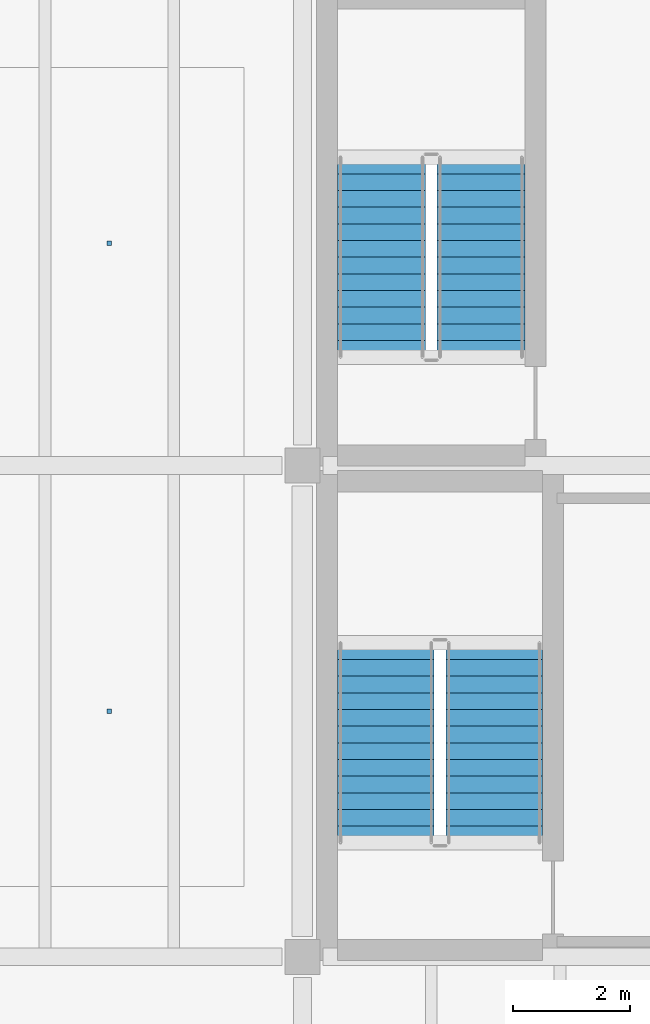
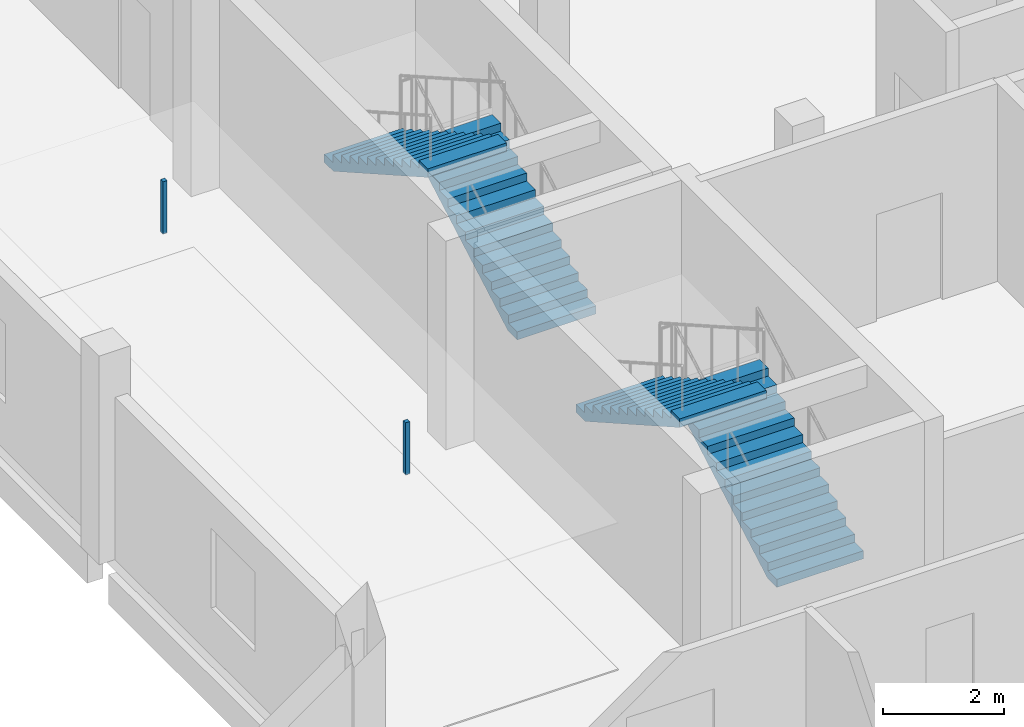
# One storey, part 8 of 12: 4 stair flights, 2 discrete accessories, 2 elements without a shape of their own.
"""IFC4 building model written with IfcOpenShell, lengths in metres."""

import ifcopenshell
import ifcopenshell.guid

model = None  # the IFC model being written
_history = None  # IfcOwnerHistory: only IFC2X3 demands one
_inside = {}  # id of a spatial element -> (the spatial element, [elements in it])
_under = {}  # id of a project, library or spatial element -> (it, [spatial elements below it])
_declared = {}  # id of a project -> (the project, [libraries it declares])
_typed = {}  # id of a type object -> (the type object, [elements of that type])
_made_of = {}  # id of a material, layer set ... -> (it, [elements and type objects made of it])


def new_model(schema):
    """Start an empty IFC model of exactly this schema.

    Asked for "IFC4X3", IfcOpenShell would pick the latest addendum, in which some entities
    have other attributes; the version numbers below select the first issue.
    IFC2X3 requires an IfcOwnerHistory on every rooted entity: one is made here for all.
    """
    global model, _history
    if schema == "IFC4X3":
        model = ifcopenshell.file(schema_version=(4, 3, 0, 0))
    else:
        model = ifcopenshell.file(schema=schema)
    _inside.clear()
    _under.clear()
    _declared.clear()
    _typed.clear()
    _made_of.clear()
    _history = None
    if model.schema == "IFC2X3":
        org = make("IfcOrganization", Name="unknown")
        user = make(
            "IfcPersonAndOrganization",
            ThePerson=make("IfcPerson", FamilyName="unknown"),
            TheOrganization=org,
        )
        app = make(
            "IfcApplication",
            ApplicationDeveloper=org,
            Version="unknown",
            ApplicationFullName="unknown",
            ApplicationIdentifier="unknown",
        )
        _history = make(
            "IfcOwnerHistory",
            OwningUser=user,
            OwningApplication=app,
            ChangeAction="ADDED",
            CreationDate=0,
        )
    return model


def make(cls, **values):
    """One entity of the class cls with the attributes given. An attribute that is None is left unset."""
    return model.create_entity(
        cls, **{name: value for name, value in values.items() if value is not None}
    )


def rooted(cls, **values):
    """An entity with a GlobalId (a new one), such as an element, a storey or a relation."""
    return make(cls, GlobalId=ifcopenshell.guid.new(), OwnerHistory=_history, **values)


def si_unit(unit_type, name, prefix=None):
    """IfcSIUnit, for example si_unit("LENGTHUNIT", "METRE", prefix="MILLI")."""
    return make("IfcSIUnit", UnitType=unit_type, Prefix=prefix, Name=name)


def assignment(units):
    """IfcUnitAssignment: the units of a project."""
    return None if units is None else make("IfcUnitAssignment", Units=units)


def point(xyz):
    """IfcCartesianPoint."""
    return None if xyz is None else make("IfcCartesianPoint", Coordinates=xyz)


def direction(xyz):
    """IfcDirection."""
    return None if xyz is None else make("IfcDirection", DirectionRatios=xyz)


def frame(location, z_axis=None, x_axis=None):
    """IfcAxis2Placement3D, a coordinate frame: its origin and axes. An axis left out is left unset."""
    return make(
        "IfcAxis2Placement3D",
        Location=point(location),
        Axis=direction(z_axis),
        RefDirection=direction(x_axis),
    )


def frame_2d(location, x_axis=None):
    """IfcAxis2Placement2D, a coordinate frame in the plane: its origin and x axis."""
    return make(
        "IfcAxis2Placement2D", Location=point(location), RefDirection=direction(x_axis)
    )


def origin():
    """The frame at (0, 0, 0) with its axes left unset."""
    return frame((0.0, 0.0, 0.0))


def origin_2d():
    """The frame at (0, 0) in the plane with its x axis left unset."""
    return frame_2d((0.0, 0.0))


def place(relative_to, where):
    """IfcLocalPlacement: puts the frame where relative to a parent placement (None: the world)."""
    return make(
        "IfcLocalPlacement", PlacementRelTo=relative_to, RelativePlacement=where
    )


def context(
    kind, dimensions, precision=None, world=None, true_north=None, identifier=None
):
    """IfcGeometricRepresentationContext, for example the 3D "Model" context."""
    return make(
        "IfcGeometricRepresentationContext",
        ContextIdentifier=identifier,
        ContextType=kind,
        CoordinateSpaceDimension=dimensions,
        Precision=precision,
        WorldCoordinateSystem=world,
        TrueNorth=true_north,
    )


def subcontext(parent, identifier, kind, view, scale=None):
    """IfcGeometricRepresentationSubContext, for example "Body" below "Model"."""
    return make(
        "IfcGeometricRepresentationSubContext",
        ContextIdentifier=identifier,
        ContextType=kind,
        ParentContext=parent,
        TargetScale=scale,
        TargetView=view,
    )


def project(units=None, contexts=None):
    """IfcProject with its units and contexts."""
    return rooted(
        "IfcProject",
        Name="project",
        RepresentationContexts=contexts,
        UnitsInContext=assignment(units),
    )


def spatial(cls, under=None, at=None, **own):
    """A site, building, storey or space (cls), placed at a placement, below another one or the project."""
    s = rooted(cls, ObjectPlacement=at, **own)
    if under is not None:
        _under.setdefault(under.id(), (under, []))[1].append(s)
    return s


def polyline(points):
    """IfcPolyline through the points."""
    return make("IfcPolyline", Points=[point(p) for p in points])


def profile(cls, at=None, kind="AREA", **sizes):
    """A parametric profile (cls). Its sizes go by their IFC names, for example OverallWidth=200.0."""
    return make(cls, ProfileType=kind, Position=at, **sizes)


def rectangle(**sizes):
    """IfcRectangleProfileDef."""
    return profile("IfcRectangleProfileDef", **sizes)


def outline(outer, holes=None, kind="AREA"):
    """IfcArbitraryClosedProfileDef: a profile drawn as a closed curve; with holes, ...WithVoids."""
    if holes is None:
        return make("IfcArbitraryClosedProfileDef", ProfileType=kind, OuterCurve=outer)
    return make(
        "IfcArbitraryProfileDefWithVoids",
        ProfileType=kind,
        OuterCurve=outer,
        InnerCurves=holes,
    )


def extrude(swept, where, along, depth):
    """IfcExtrudedAreaSolid: the profile swept, set in the frame where, extruded along a direction by depth."""
    return make(
        "IfcExtrudedAreaSolid",
        SweptArea=swept,
        Position=where,
        ExtrudedDirection=direction(along),
        Depth=depth,
    )


def shape(context_of_items, identifier, shape_type, items):
    """IfcShapeRepresentation: the items that make up one representation, for example the "Body"."""
    return make(
        "IfcShapeRepresentation",
        ContextOfItems=context_of_items,
        RepresentationIdentifier=identifier,
        RepresentationType=shape_type,
        Items=items,
    )


def material(Name=None, Category=None):
    """IfcMaterial."""
    return make("IfcMaterial", Name=Name, Category=Category)


def layer(
    of_material, thickness, ventilated=None, Name=None, Category=None, Priority=None
):
    """IfcMaterialLayer: one layer of a wall or slab, of a material (None: an air gap)."""
    return make(
        "IfcMaterialLayer",
        Material=of_material,
        LayerThickness=thickness,
        IsVentilated=ventilated,
        Name=Name,
        Category=Category,
        Priority=Priority,
    )


def layer_set(layers, Name=None):
    """IfcMaterialLayerSet."""
    return make("IfcMaterialLayerSet", MaterialLayers=layers, LayerSetName=Name)


def made_of(thing, what):
    """Note that an element or type object is made of a material, layer set ...; save() writes the relation."""
    if what is not None:
        _made_of.setdefault(what.id(), (what, []))[1].append(thing)
    return thing


def type_object(cls, material=None, **own):
    """A type object (cls), such as IfcWallType, which elements share."""
    return made_of(rooted(cls, **own), material)


def element(
    cls,
    number,
    at=None,
    inside=None,
    cuts=None,
    type_object=None,
    material=None,
    context=None,
    identifier="Body",
    shape_type=None,
    held_by="IfcProductDefinitionShape",
    body=None,
    shapes=None,
    **own,
):
    """One element of the class cls, such as IfcWall. Its Tag is "e" and its number.

    at: its placement. inside: the storey or other place that contains it. cuts: it is an
    opening in that element (IfcRelVoidsElement). A single representation is given by context,
    identifier, shape_type and body (its items); several are given by shapes. held_by: the class
    of the entity that holds the representations. save() writes the other relations.
    """
    e = rooted(cls, Tag="e%d" % number, ObjectPlacement=at, **own)
    if body is not None:
        shapes = [shape(context, identifier, shape_type, body)]
    if shapes is not None:
        e.Representation = make(held_by, Representations=shapes)
    if inside is not None:
        _inside.setdefault(inside.id(), (inside, []))[1].append(e)
    if cuts is not None:
        rooted(
            "IfcRelVoidsElement", RelatingBuildingElement=cuts, RelatedOpeningElement=e
        )
    if type_object is not None:
        _typed.setdefault(type_object.id(), (type_object, []))[1].append(e)
    return made_of(e, material)


def aggregate(whole, parts):
    """IfcRelAggregates: a whole, such as a stair, and the parts it consists of."""
    return rooted("IfcRelAggregates", RelatingObject=whole, RelatedObjects=parts)


def save(model, path):
    """Write the relations noted so far, then the file.

    IfcRelAggregates (storeys below a building ...), IfcRelContainedInSpatialStructure (elements
    in a storey), IfcRelDefinesByType, IfcRelAssociatesMaterial and IfcRelDeclares: one each for
    every whole, place, type object, material and project.
    """
    for whole, parts in _under.values():
        aggregate(whole, parts)
    for where, things in _inside.values():
        rooted(
            "IfcRelContainedInSpatialStructure",
            RelatedElements=things,
            RelatingStructure=where,
        )
    for kind, things in _typed.values():
        rooted("IfcRelDefinesByType", RelatedObjects=things, RelatingType=kind)
    for what, things in _made_of.values():
        rooted("IfcRelAssociatesMaterial", RelatedObjects=things, RelatingMaterial=what)
    for by, libraries in _declared.values():
        rooted("IfcRelDeclares", RelatingContext=by, RelatedDefinitions=libraries)
    model.write(path)


model = new_model("IFC4")

# Units and contexts
model_context = context("Model", 3, precision=1e-05, world=origin(), true_north=direction((0.0, 1.0)))
body_context = subcontext(model_context, "Body", "Model", "MODEL_VIEW")
ifc_project = project(units=[si_unit("LENGTHUNIT", "METRE"), si_unit("AREAUNIT", "SQUARE_METRE"), si_unit("VOLUMEUNIT", "CUBIC_METRE"), si_unit("PLANEANGLEUNIT", "RADIAN"), si_unit("MASSUNIT", "GRAM", prefix="KILO")], contexts=[model_context])

# Site, building, storey
site_placement = place(None, origin())
site = spatial("IfcSite", under=ifc_project, at=site_placement, CompositionType="ELEMENT")
building_placement = place(site_placement, origin())
building = spatial("IfcBuilding", under=site, at=building_placement, Name="Qaldarim Faculty of Natural and Applied Sciences", CompositionType="ELEMENT")
storey_placement = place(building_placement, frame((0.0, 0.0, 31.199951171875)))
storey = spatial("IfcBuildingStorey", under=building, at=storey_placement, Name="L07", CompositionType="ELEMENT", Elevation=31.199951171875)

# Stair, stair flights
ifc_material_1 = material(Name="Concrete C40/50", Category="concrete")
stair_type_1 = type_object("IfcStairType", Name="DoglegStair-W1500-H4200-26R", PredefinedType="HALF_TURN_STAIR", material=ifc_material_1)
stair_1_placement = place(storey_placement, origin())
stair_1 = element("IfcStair", 1, at=stair_1_placement, inside=storey, type_object=stair_type_1, Name="Enclosed exit stair ST-A2 L07", PredefinedType="HALF_TURN_STAIR")
stair_flight_type_1 = type_object("IfcStairFlightType", Name="StairFlight-W1500-13R", PredefinedType="STRAIGHT", material=ifc_material_1)
stair_flight_1_placement = place(storey_placement, frame((168.050048828125, 27.050048828125, 0.0), z_axis=(0.0, 0.0, 1.0), x_axis=(0.0, 1.0, 0.0)))
stair_flight_1 = element("IfcStairFlight", 2, at=stair_flight_1_placement, type_object=stair_flight_type_1, Name="ST-A2 L07 flight 1", NumberOfRisers=13, NumberOfTreads=12, PredefinedType="STRAIGHT", RiserHeight=0.161538462, TreadLength=0.285, context=body_context, shape_type="SweptSolid", body=[
    extrude(outline(polyline([(0.0, 0.0), (0.0, 0.16162109375), (0.284912109375, 0.16162109375), (0.284912109375, 0.322998046875), (0.570068359375, 0.322998046875), (0.570068359375, 0.484619140625), (0.85498046875, 0.484619140625), (0.85498046875, 0.646240234375), (1.139892578125, 0.646240234375), (1.139892578125, 0.8076171875), (1.425048828125, 0.8076171875), (1.425048828125, 0.96923828125), (1.7099609375, 0.96923828125), (1.7099609375, 1.130859375), (1.9951171875, 1.130859375), (1.9951171875, 1.292236328125), (2.280029296875, 1.292236328125), (2.280029296875, 1.453857421875), (2.56494140625, 1.453857421875), (2.56494140625, 1.615478515625), (2.85009765625, 1.615478515625), (2.85009765625, 1.77685546875), (3.135009765625, 1.77685546875), (3.135009765625, 1.9384765625), (3.419921875, 1.9384765625), (3.419921875, 2.10009765625), (3.419921875, 1.76611328125), (0.303955078125, 0.0), (0.0, 0.0)])), frame((0.0, 0.75, 0.0), z_axis=(0.0, -1.0, 0.0), x_axis=(1.0, 0.0, 0.0)), (0.0, 0.0, 1.0), 1.5),
])
stair_flight_2_placement = place(storey_placement, frame((166.35009765625, 30.469970703125, 2.10009765625), z_axis=(0.0, 0.0, 1.0), x_axis=(0.0, -1.0, 0.0)))
stair_flight_2 = element("IfcStairFlight", 3, at=stair_flight_2_placement, type_object=stair_flight_type_1, Name="ST-A2 L07 flight 2", NumberOfRisers=13, NumberOfTreads=12, PredefinedType="STRAIGHT", RiserHeight=0.161538462, TreadLength=0.285, context=body_context, shape_type="SweptSolid", body=[
    extrude(outline(polyline([(0.0, 0.0), (0.0, 0.16162109375), (0.284912109375, 0.16162109375), (0.284912109375, 0.322998046875), (0.570068359375, 0.322998046875), (0.570068359375, 0.484619140625), (0.85498046875, 0.484619140625), (0.85498046875, 0.646240234375), (1.139892578125, 0.646240234375), (1.139892578125, 0.8076171875), (1.425048828125, 0.8076171875), (1.425048828125, 0.96923828125), (1.7099609375, 0.96923828125), (1.7099609375, 1.130859375), (1.9951171875, 1.130859375), (1.9951171875, 1.292236328125), (2.280029296875, 1.292236328125), (2.280029296875, 1.453857421875), (2.56494140625, 1.453857421875), (2.56494140625, 1.615478515625), (2.85009765625, 1.615478515625), (2.85009765625, 1.77685546875), (3.135009765625, 1.77685546875), (3.135009765625, 1.9384765625), (3.419921875, 1.9384765625), (3.419921875, 2.10009765625), (3.419921875, 1.76611328125), (0.303955078125, 0.0), (0.0, 0.0)])), frame((0.0, 0.75, 0.0), z_axis=(0.0, -1.0, 0.0), x_axis=(1.0, 0.0, 0.0)), (0.0, 0.0, 1.0), 1.5),
])
aggregate(stair_1, [stair_flight_1, stair_flight_2])

stair_type_2 = type_object("IfcStairType", Name="DoglegStair-W1650-H4200-26R", PredefinedType="HALF_TURN_STAIR", material=ifc_material_1)
stair_2_placement = place(storey_placement, origin())
stair_2 = element("IfcStair", 4, at=stair_2_placement, inside=storey, type_object=stair_type_2, Name="Enclosed exit stair ST-A1 L07", PredefinedType="HALF_TURN_STAIR")
stair_flight_type_2 = type_object("IfcStairFlightType", Name="StairFlight-W1650-13R", PredefinedType="STRAIGHT", material=ifc_material_1)
stair_flight_3_placement = place(storey_placement, frame((168.27490234375, 18.75, 0.0), z_axis=(0.0, 0.0, 1.0), x_axis=(0.0, 1.0, 0.0)))
stair_flight_3 = element("IfcStairFlight", 5, at=stair_flight_3_placement, type_object=stair_flight_type_2, Name="ST-A1 L07 flight 1", NumberOfRisers=13, NumberOfTreads=12, PredefinedType="STRAIGHT", RiserHeight=0.161538462, TreadLength=0.285, context=body_context, shape_type="SweptSolid", body=[
    extrude(outline(polyline([(0.0, 0.0), (0.0, 0.16162109375), (0.284912109375, 0.16162109375), (0.284912109375, 0.322998046875), (0.570068359375, 0.322998046875), (0.570068359375, 0.484619140625), (0.85498046875, 0.484619140625), (0.85498046875, 0.646240234375), (1.139892578125, 0.646240234375), (1.139892578125, 0.8076171875), (1.425048828125, 0.8076171875), (1.425048828125, 0.96923828125), (1.7099609375, 0.96923828125), (1.7099609375, 1.130859375), (1.9951171875, 1.130859375), (1.9951171875, 1.292236328125), (2.280029296875, 1.292236328125), (2.280029296875, 1.453857421875), (2.56494140625, 1.453857421875), (2.56494140625, 1.615478515625), (2.85009765625, 1.615478515625), (2.85009765625, 1.77685546875), (3.135009765625, 1.77685546875), (3.135009765625, 1.9384765625), (3.419921875, 1.9384765625), (3.419921875, 2.10009765625), (3.419921875, 1.76611328125), (0.303955078125, 0.0), (0.0, 0.0)])), frame((0.0, 0.824951171875, 0.0), z_axis=(0.0, -1.0, 0.0), x_axis=(1.0, 0.0, 0.0)), (0.0, 0.0, 1.0), 1.64990234375),
])
stair_flight_4_placement = place(storey_placement, frame((166.425048828125, 22.169921875, 2.10009765625), z_axis=(0.0, 0.0, 1.0), x_axis=(0.0, -1.0, 0.0)))
stair_flight_4 = element("IfcStairFlight", 6, at=stair_flight_4_placement, type_object=stair_flight_type_2, Name="ST-A1 L07 flight 2", NumberOfRisers=13, NumberOfTreads=12, PredefinedType="STRAIGHT", RiserHeight=0.161538462, TreadLength=0.285, context=body_context, shape_type="SweptSolid", body=[
    extrude(outline(polyline([(0.0, 0.0), (0.0, 0.16162109375), (0.284912109375, 0.16162109375), (0.284912109375, 0.322998046875), (0.570068359375, 0.322998046875), (0.570068359375, 0.484619140625), (0.85498046875, 0.484619140625), (0.85498046875, 0.646240234375), (1.139892578125, 0.646240234375), (1.139892578125, 0.8076171875), (1.425048828125, 0.8076171875), (1.425048828125, 0.96923828125), (1.7099609375, 0.96923828125), (1.7099609375, 1.130859375), (1.9951171875, 1.130859375), (1.9951171875, 1.292236328125), (2.280029296875, 1.292236328125), (2.280029296875, 1.453857421875), (2.56494140625, 1.453857421875), (2.56494140625, 1.615478515625), (2.85009765625, 1.615478515625), (2.85009765625, 1.77685546875), (3.135009765625, 1.77685546875), (3.135009765625, 1.9384765625), (3.419921875, 1.9384765625), (3.419921875, 2.10009765625), (3.419921875, 1.76611328125), (0.303955078125, 0.0), (0.0, 0.0)])), frame((0.0, 0.824951171875, 0.0), z_axis=(0.0, -1.0, 0.0), x_axis=(1.0, 0.0, 0.0)), (0.0, 0.0, 1.0), 1.64990234375),
])
aggregate(stair_2, [stair_flight_3, stair_flight_4])

# Discrete accessories
ifc_material_2 = material(Name="Architectural stainless steel 316", Category="steel")
ifc_layer = layer(ifc_material_2, 0.080078125)
ifc_layer_set = layer_set([ifc_layer], Name="Architectural stainless steel 316")
discrete_accessory_type = type_object("IfcDiscreteAccessoryType", Name="FacadeBracket-SS120", PredefinedType="BRACKET", material=ifc_layer_set)
for number, where, z_axis, x_axis, name in (
    (7, (161.699951171875, 21.0, 2.9501953125), (0.0, 0.0, 1.0), (1.0, 0.0, 0.0), "Ceiling suspension hanger L07 1"),
    (8, (161.699951171875, 29.0, 2.9501953125), (0.0, 0.0, 1.0), (1.0, 0.0, 0.0), "Ceiling suspension hanger L07 2"),
):
    element("IfcDiscreteAccessory", number, at=place(storey_placement, frame(where, z_axis=z_axis, x_axis=x_axis)), inside=storey, type_object=discrete_accessory_type, Name=name, PredefinedType="BRACKET", context=body_context, shape_type="SweptSolid", body=[
        extrude(rectangle(XDim=0.080078125, YDim=0.080078125, at=origin_2d()), origin(), (0.0, 0.0, 1.0), 1.050048828125),
    ])

save(model, "model.ifc")
